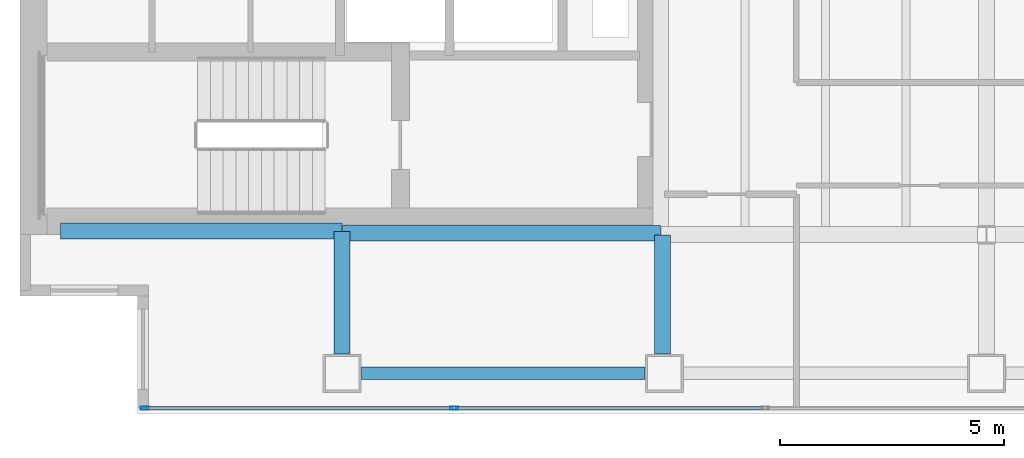
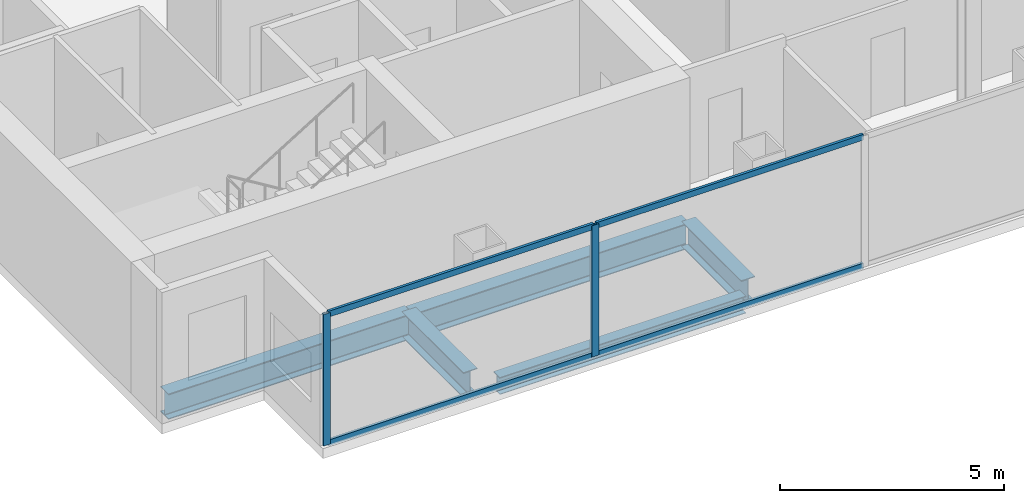
# One storey, part 2 of 24: 6 members, 5 beams, 1 element without a shape of its own.
"""IFC4 building model written with IfcOpenShell, lengths in metres."""

from ifc_helpers import new_model, si_unit, direction, frame, origin, origin_2d, place, context, subcontext, project, spatial, hollow_rectangle, i_section, extrude, material, material_profile, profile_set, type_object, element, aggregate, save


model = new_model("IFC4")

# Units and contexts
model_context = context("Model", 3, precision=1e-05, world=origin(), true_north=direction((0.0, 1.0)))
body_context = subcontext(model_context, "Body", "Model", "MODEL_VIEW")
ifc_project = project(units=[si_unit("LENGTHUNIT", "METRE"), si_unit("AREAUNIT", "SQUARE_METRE"), si_unit("VOLUMEUNIT", "CUBIC_METRE"), si_unit("PLANEANGLEUNIT", "RADIAN"), si_unit("MASSUNIT", "GRAM", prefix="KILO")], contexts=[model_context])

# Site, building, storey
site_placement = place(None, origin())
site = spatial("IfcSite", under=ifc_project, at=site_placement, CompositionType="ELEMENT")
building_placement = place(site_placement, origin())
building = spatial("IfcBuilding", under=site, at=building_placement, Name="Cobrela Telecom Tower", CompositionType="ELEMENT")
storey_placement = place(building_placement, frame((0.0, 0.0, 152.25)))
storey = spatial("IfcBuildingStorey", under=building, at=storey_placement, Name="L38", CompositionType="ELEMENT", Elevation=152.25)

# Beams
ifc_material_1 = material(Name="Steel ASTM A992 Grade 50", Category="steel")
ifc_material_profile_1 = material_profile(ifc_material_1, i_section(OverallWidth=0.35595703125, OverallDepth=0.696044921875, WebThickness=0.015380859375, FlangeThickness=0.024658203125, FilletRadius=0.01806640625, at=origin_2d()), Name="W27X146")
ifc_profile_set_1 = profile_set([ifc_material_profile_1], Name="Steel ASTM A992 Grade 50")
beam_type_1 = type_object("IfcBeamType", Name="BM-GIRD-05", PredefinedType="USERDEFINED", material=ifc_profile_set_1)
beam_1_placement = place(storey_placement, frame((0.905029296875, 7.280029296875, -0.617919921875), z_axis=(1.0, 0.0, 0.0), x_axis=(0.0, 1.0, 0.0)))
element("IfcBeam", 1, at=beam_1_placement, inside=storey, type_object=beam_type_1, Name="L38 Primary Girder X06", ObjectType="GIRDER", PredefinedType="USERDEFINED", context=body_context, shape_type="SweptSolid", body=[
    extrude(i_section(OverallWidth=0.35595703125, OverallDepth=0.696044921875, WebThickness=0.015380859375, FlangeThickness=0.024658203125, FilletRadius=0.01806640625, at=origin_2d()), origin(), (0.0, 0.0, 1.0), 6.2900390625),
])
beam_2_placement = place(storey_placement, frame((7.205078125, 7.239990234375, -0.617919921875), z_axis=(1.0, 0.0, 0.0), x_axis=(0.0, 1.0, 0.0)))
element("IfcBeam", 2, at=beam_2_placement, inside=storey, type_object=beam_type_1, Name="L38 Primary Girder X07", ObjectType="GIRDER", PredefinedType="USERDEFINED", context=body_context, shape_type="SweptSolid", body=[
    extrude(i_section(OverallWidth=0.35595703125, OverallDepth=0.696044921875, WebThickness=0.015380859375, FlangeThickness=0.024658203125, FilletRadius=0.01806640625, at=origin_2d()), origin(), (0.0, 0.0, 1.0), 7.10986328125),
])
beam_3_placement = place(storey_placement, frame((7.199951171875, 4.530029296875, -0.617919921875), z_axis=(0.0, 1.0, 0.0), x_axis=(-1.0, 0.0, 0.0)))
element("IfcBeam", 3, at=beam_3_placement, inside=storey, type_object=beam_type_1, Name="L38 Primary Girder Y31", ObjectType="GIRDER", PredefinedType="USERDEFINED", context=body_context, shape_type="SweptSolid", body=[
    extrude(i_section(OverallWidth=0.35595703125, OverallDepth=0.696044921875, WebThickness=0.015380859375, FlangeThickness=0.024658203125, FilletRadius=0.01806640625, at=origin_2d()), origin(), (0.0, 0.0, 1.0), 2.744873046875),
])
beam_4_placement = place(storey_placement, frame((14.360107421875, 4.530029296875, -0.617919921875), z_axis=(0.0, 1.0, 0.0), x_axis=(-1.0, 0.0, 0.0)))
element("IfcBeam", 4, at=beam_4_placement, inside=storey, type_object=beam_type_1, Name="L38 Primary Girder Y33", ObjectType="GIRDER", PredefinedType="USERDEFINED", context=body_context, shape_type="SweptSolid", body=[
    extrude(i_section(OverallWidth=0.35595703125, OverallDepth=0.696044921875, WebThickness=0.015380859375, FlangeThickness=0.024658203125, FilletRadius=0.01806640625, at=origin_2d()), origin(), (0.0, 0.0, 1.0), 2.6650390625),
])
ifc_material_profile_2 = material_profile(ifc_material_1, i_section(OverallWidth=0.281982421875, OverallDepth=0.467041015625, WebThickness=0.01220703125, FlangeThickness=0.01953125, FilletRadius=0.012939453125, at=origin_2d()), Name="W18X86")
ifc_profile_set_2 = profile_set([ifc_material_profile_2], Name="Steel ASTM A992 Grade 50")
beam_type_2 = type_object("IfcBeamType", Name="BM-SPAND-04", PredefinedType="SPANDREL", material=ifc_profile_set_2)
beam_5_placement = place(storey_placement, frame((7.6298828125, 4.10009765625, -0.50341796875), z_axis=(1.0, 0.0, 0.0), x_axis=(0.0, 1.0, 0.0)))
element("IfcBeam", 5, at=beam_5_placement, inside=storey, type_object=beam_type_2, Name="L38 Perimeter Spandrel X01", PredefinedType="SPANDREL", context=body_context, shape_type="SweptSolid", body=[
    extrude(i_section(OverallWidth=0.281982421875, OverallDepth=0.467041015625, WebThickness=0.01220703125, FlangeThickness=0.01953125, FilletRadius=0.012939453125, at=origin_2d()), origin(), (0.0, 0.0, 1.0), 6.340087890625),
])

# Curtain wall, members
ifc_material_2 = material(Name="Anodized Bronze Aluminium 6063-T6", Category="aluminium")
curtain_wall_type = type_object("IfcCurtainWallType", Name="CW-SYS-TEL", PredefinedType="USERDEFINED", material=ifc_material_2)
curtain_wall_placement = place(storey_placement, origin())
curtain_wall = element("IfcCurtainWall", 6, at=curtain_wall_placement, inside=storey, type_object=curtain_wall_type, Name="L38 Unitised Bronze Curtain Wall 17", ObjectType="UNITISED CURTAIN WALL", PredefinedType="USERDEFINED")
ifc_material_profile_3 = material_profile(ifc_material_2, hollow_rectangle(XDim=0.074951171875, YDim=0.179931640625, WallThickness=0.00390625, at=origin_2d()), Name="ALU 75x180x4")
ifc_profile_set_3 = profile_set([ifc_material_profile_3], Name="Anodized Bronze Aluminium 6063-T6")
member_type_1 = type_object("IfcMemberType", Name="CW-SYS-TEL-MUL", PredefinedType="MULLION", material=ifc_profile_set_3)
member_1_placement = place(storey_placement, frame((9.699951171875, 3.320068359375, 0.0), z_axis=(0.0, 0.0, 1.0), x_axis=(0.0, -1.0, 0.0)))
member_1 = element("IfcMember", 7, at=member_1_placement, type_object=member_type_1, Name="CW-TEL mullion 6", PredefinedType="MULLION", context=body_context, shape_type="SweptSolid", body=[
    extrude(hollow_rectangle(XDim=0.074951171875, YDim=0.179931640625, WallThickness=0.00390625, at=origin_2d()), origin(), (0.0, 0.0, 1.0), 3.580078125),
])
member_2_placement = place(storey_placement, frame((2.78759765625, 3.320068359375, 0.0), z_axis=(0.0, 0.0, 1.0), x_axis=(0.0, -1.0, 0.0)))
member_2 = element("IfcMember", 8, at=member_2_placement, type_object=member_type_1, Name="CW-TEL mullion 7", PredefinedType="MULLION", context=body_context, shape_type="SweptSolid", body=[
    extrude(hollow_rectangle(XDim=0.074951171875, YDim=0.179931640625, WallThickness=0.00390625, at=origin_2d()), origin(), (0.0, 0.0, 1.0), 3.580078125),
])
ifc_material_profile_4 = material_profile(ifc_material_2, hollow_rectangle(XDim=0.070068359375, YDim=0.159912109375, WallThickness=0.00390625, at=origin_2d()), Name="ALU 70x160x4")
ifc_profile_set_4 = profile_set([ifc_material_profile_4], Name="Anodized Bronze Aluminium 6063-T6")
member_type_2 = type_object("IfcMemberType", Name="CW-SYS-TEL-TRN", PredefinedType="USERDEFINED", material=ifc_profile_set_4)
member_3_placement = place(storey_placement, frame((16.612548828125, 3.320068359375, 0.034912109375), z_axis=(-1.0, 0.0, 0.0), x_axis=(0.0, -1.0, 0.0)))
member_3 = element("IfcMember", 9, at=member_3_placement, type_object=member_type_2, Name="CW-TEL transom 5.1", ObjectType="TRANSOM", PredefinedType="USERDEFINED", context=body_context, shape_type="SweptSolid", body=[
    extrude(hollow_rectangle(XDim=0.070068359375, YDim=0.159912109375, WallThickness=0.00390625, at=origin_2d()), origin(), (0.0, 0.0, 1.0), 6.875),
])
member_4_placement = place(storey_placement, frame((16.612548828125, 3.320068359375, 3.544921875), z_axis=(-1.0, 0.0, 0.0), x_axis=(0.0, -1.0, 0.0)))
member_4 = element("IfcMember", 10, at=member_4_placement, type_object=member_type_2, Name="CW-TEL transom 5.2", ObjectType="TRANSOM", PredefinedType="USERDEFINED", context=body_context, shape_type="SweptSolid", body=[
    extrude(hollow_rectangle(XDim=0.070068359375, YDim=0.159912109375, WallThickness=0.00390625, at=origin_2d()), origin(), (0.0, 0.0, 1.0), 6.875),
])
member_5_placement = place(storey_placement, frame((9.66259765625, 3.320068359375, 0.034912109375), z_axis=(-1.0, 0.0, 0.0), x_axis=(0.0, -1.0, 0.0)))
member_5 = element("IfcMember", 11, at=member_5_placement, type_object=member_type_2, Name="CW-TEL transom 6.1", ObjectType="TRANSOM", PredefinedType="USERDEFINED", context=body_context, shape_type="SweptSolid", body=[
    extrude(hollow_rectangle(XDim=0.070068359375, YDim=0.159912109375, WallThickness=0.00390625, at=origin_2d()), origin(), (0.0, 0.0, 1.0), 6.837646484375),
])
member_6_placement = place(storey_placement, frame((9.66259765625, 3.320068359375, 3.544921875), z_axis=(-1.0, 0.0, 0.0), x_axis=(0.0, -1.0, 0.0)))
member_6 = element("IfcMember", 12, at=member_6_placement, type_object=member_type_2, Name="CW-TEL transom 6.2", ObjectType="TRANSOM", PredefinedType="USERDEFINED", context=body_context, shape_type="SweptSolid", body=[
    extrude(hollow_rectangle(XDim=0.070068359375, YDim=0.159912109375, WallThickness=0.00390625, at=origin_2d()), origin(), (0.0, 0.0, 1.0), 6.837646484375),
])
aggregate(curtain_wall, [member_1, member_2, member_3, member_4, member_5, member_6])

save(model, "model.ifc")
